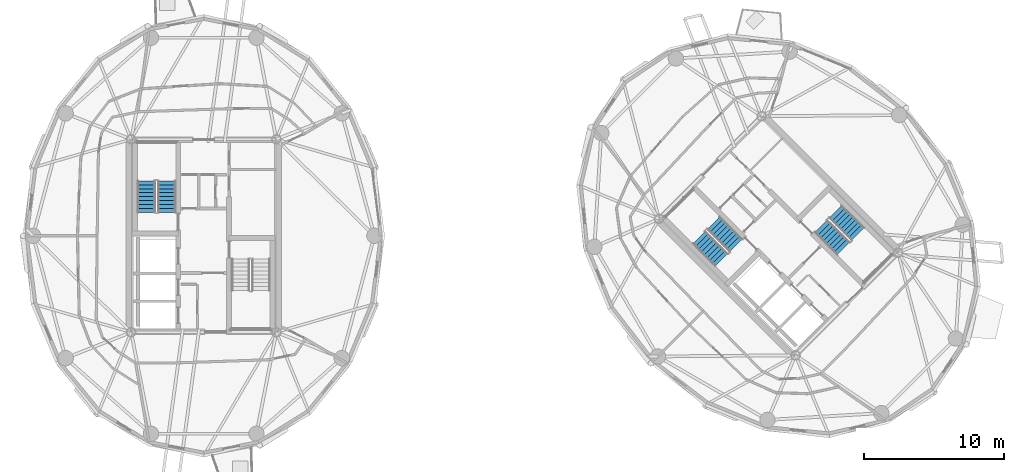
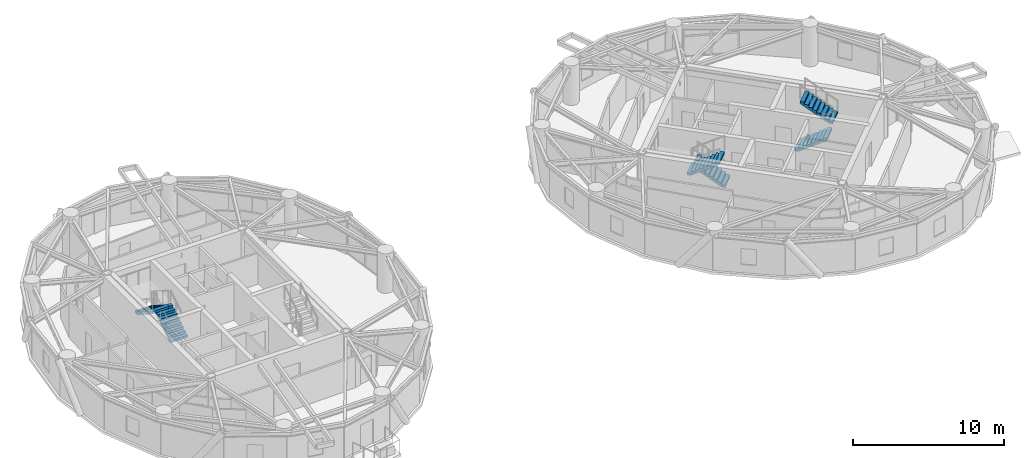
# One storey, part 14 of 17: 6 stair flights, 3 elements without a shape of their own.
"""IFC4 building model written with IfcOpenShell, lengths in metres."""

from ifc_helpers import new_model, si_unit, direction, frame, origin, place, context, subcontext, project, spatial, polyline, outline, extrude, material, type_object, element, aggregate, save


model = new_model("IFC4")

# Units and contexts
model_context = context("Model", 3, precision=1e-05, world=origin(), true_north=direction((0.0, 1.0)))
body_context = subcontext(model_context, "Body", "Model", "MODEL_VIEW")
ifc_project = project(units=[si_unit("LENGTHUNIT", "METRE"), si_unit("AREAUNIT", "SQUARE_METRE"), si_unit("VOLUMEUNIT", "CUBIC_METRE"), si_unit("PLANEANGLEUNIT", "RADIAN"), si_unit("MASSUNIT", "GRAM", prefix="KILO")], contexts=[model_context])

# Site, building, storey
site_placement = place(None, origin())
site = spatial("IfcSite", under=ifc_project, at=site_placement, CompositionType="ELEMENT")
building_placement = place(site_placement, origin())
building = spatial("IfcBuilding", under=site, at=building_placement, Name="Cununo Teusaquillo Station Towers", CompositionType="ELEMENT")
storey_placement = place(building_placement, frame((0.0, 0.0, 222.85009765625)))
storey = spatial("IfcBuildingStorey", under=building, at=storey_placement, Name="L71", CompositionType="ELEMENT", Elevation=222.85009765625)

# Stair, stair flights
ifc_material_1 = material(Name="Concrete C50/60", Category="concrete")
stair_type = type_object("IfcStairType", Name="ST-TWR-1300", PredefinedType="HALF_TURN_STAIR", material=ifc_material_1)
stair_1_placement = place(storey_placement, origin())
stair_1 = element("IfcStair", 1, at=stair_1_placement, inside=storey, type_object=stair_type, Name="L71 Tower A Protected Core Exit Stair 1", PredefinedType="HALF_TURN_STAIR")
ifc_material_2 = material(Name="Concrete C50/60", Category="concrete")
stair_flight_type = type_object("IfcStairFlightType", Name="SFL-TWR-1300", PredefinedType="STRAIGHT", material=ifc_material_2)
stair_flight_1_placement = place(storey_placement, frame((13.8701171875, 26.169921875, 0.0), z_axis=(0.0, 0.0, 1.0), x_axis=(0.0, 1.0, 0.0)))
stair_flight_1 = element("IfcStairFlight", 2, at=stair_flight_1_placement, type_object=stair_flight_type, Name="ST-T1-1 flight 1", NumberOfRisers=9, NumberOfTreads=8, PredefinedType="STRAIGHT", RiserHeight=0.177777778, TreadLength=0.28, context=body_context, shape_type="SweptSolid", body=[
    extrude(outline(polyline([(0.0, 0.0), (0.0, 0.177734375), (0.280029296875, 0.177734375), (0.280029296875, 0.35546875), (0.56005859375, 0.35546875), (0.56005859375, 0.533447265625), (0.840087890625, 0.533447265625), (0.840087890625, 0.711181640625), (1.1201171875, 0.711181640625), (1.1201171875, 0.888916015625), (1.39990234375, 0.888916015625), (1.39990234375, 1.066650390625), (1.679931640625, 1.066650390625), (1.679931640625, 1.244384765625), (1.9599609375, 1.244384765625), (1.9599609375, 1.422119140625), (2.239990234375, 1.422119140625), (2.239990234375, 1.60009765625), (2.239990234375, 1.24462890625), (0.27978515625, 0.0), (0.0, 0.0)])), frame((0.0, 0.64990234375, 0.0), z_axis=(0.0, -1.0, 0.0), x_axis=(1.0, 0.0, 0.0)), (0.0, 0.0, 1.0), 1.300048828125),
])
stair_flight_2_placement = place(storey_placement, frame((12.409912109375, 28.409912109375, 1.599853515625), z_axis=(0.0, 0.0, 1.0), x_axis=(0.0, -1.0, 0.0)))
stair_flight_2 = element("IfcStairFlight", 3, at=stair_flight_2_placement, type_object=stair_flight_type, Name="ST-T1-1 flight 2", NumberOfRisers=9, NumberOfTreads=8, PredefinedType="STRAIGHT", RiserHeight=0.177777778, TreadLength=0.28, context=body_context, shape_type="SweptSolid", body=[
    extrude(outline(polyline([(0.0, 0.0), (0.0, 0.177734375), (0.280029296875, 0.177734375), (0.280029296875, 0.35546875), (0.56005859375, 0.35546875), (0.56005859375, 0.533447265625), (0.840087890625, 0.533447265625), (0.840087890625, 0.711181640625), (1.1201171875, 0.711181640625), (1.1201171875, 0.888916015625), (1.39990234375, 0.888916015625), (1.39990234375, 1.066650390625), (1.679931640625, 1.066650390625), (1.679931640625, 1.244384765625), (1.9599609375, 1.244384765625), (1.9599609375, 1.422119140625), (2.239990234375, 1.422119140625), (2.239990234375, 1.60009765625), (2.239990234375, 1.24462890625), (0.27978515625, 0.0), (0.0, 0.0)])), frame((0.0, 0.64990234375, 0.0), z_axis=(0.0, -1.0, 0.0), x_axis=(1.0, 0.0, 0.0)), (0.0, 0.0, 1.0), 1.300048828125),
])
aggregate(stair_1, [stair_flight_1, stair_flight_2])

stair_2_placement = place(storey_placement, origin())
stair_2 = element("IfcStair", 4, at=stair_2_placement, inside=storey, type_object=stair_type, Name="L71 Tower B Protected Core Exit Stair 1", PredefinedType="HALF_TURN_STAIR")
stair_flight_3_placement = place(storey_placement, frame((54.45947265625, 23.8212890625, 0.0), z_axis=(0.0, 0.0, 1.0), x_axis=(-0.707106781187, 0.707106781187, 0.0)))
stair_flight_3 = element("IfcStairFlight", 5, at=stair_flight_3_placement, type_object=stair_flight_type, Name="ST-T2-1 flight 1", NumberOfRisers=9, NumberOfTreads=8, PredefinedType="STRAIGHT", RiserHeight=0.177777778, TreadLength=0.28, context=body_context, shape_type="SweptSolid", body=[
    extrude(outline(polyline([(0.0, 0.0), (0.0, 0.177734375), (0.280029296875, 0.177734375), (0.280029296875, 0.35546875), (0.56005859375, 0.35546875), (0.56005859375, 0.533447265625), (0.840087890625, 0.533447265625), (0.840087890625, 0.711181640625), (1.1201171875, 0.711181640625), (1.1201171875, 0.888916015625), (1.39990234375, 0.888916015625), (1.39990234375, 1.066650390625), (1.679931640625, 1.066650390625), (1.679931640625, 1.244384765625), (1.9599609375, 1.244384765625), (1.9599609375, 1.422119140625), (2.239990234375, 1.422119140625), (2.239990234375, 1.60009765625), (2.239990234375, 1.24462890625), (0.27978515625, 0.0), (0.0, 0.0)])), frame((0.0, 0.64990234375, 0.0), z_axis=(0.0, -1.0, 0.0), x_axis=(1.0, 0.0, 0.0)), (0.0, 0.0, 1.0), 1.300048828125),
])
stair_flight_4_placement = place(storey_placement, frame((51.84326171875, 24.372802734375, 1.599853515625), z_axis=(0.0, 0.0, 1.0), x_axis=(0.707106781187, -0.707106781187, 0.0)))
stair_flight_4 = element("IfcStairFlight", 6, at=stair_flight_4_placement, type_object=stair_flight_type, Name="ST-T2-1 flight 2", NumberOfRisers=9, NumberOfTreads=8, PredefinedType="STRAIGHT", RiserHeight=0.177777778, TreadLength=0.28, context=body_context, shape_type="SweptSolid", body=[
    extrude(outline(polyline([(0.0, 0.0), (0.0, 0.177734375), (0.280029296875, 0.177734375), (0.280029296875, 0.35546875), (0.56005859375, 0.35546875), (0.56005859375, 0.533447265625), (0.840087890625, 0.533447265625), (0.840087890625, 0.711181640625), (1.1201171875, 0.711181640625), (1.1201171875, 0.888916015625), (1.39990234375, 0.888916015625), (1.39990234375, 1.066650390625), (1.679931640625, 1.066650390625), (1.679931640625, 1.244384765625), (1.9599609375, 1.244384765625), (1.9599609375, 1.422119140625), (2.239990234375, 1.422119140625), (2.239990234375, 1.60009765625), (2.239990234375, 1.24462890625), (0.27978515625, 0.0), (0.0, 0.0)])), frame((0.0, 0.64990234375, 0.0), z_axis=(0.0, -1.0, 0.0), x_axis=(1.0, 0.0, 0.0)), (0.0, 0.0, 1.0), 1.300048828125),
])
aggregate(stair_2, [stair_flight_3, stair_flight_4])

stair_3_placement = place(storey_placement, origin())
stair_3 = element("IfcStair", 7, at=stair_3_placement, inside=storey, type_object=stair_type, Name="L71 Tower B Protected Core Exit Stair 2", PredefinedType="HALF_TURN_STAIR")
stair_flight_5_placement = place(storey_placement, frame((60.54052734375, 25.1787109375, 0.0), z_axis=(0.0, 0.0, 1.0), x_axis=(0.707106781187, -0.707106781187, 0.0)))
stair_flight_5 = element("IfcStairFlight", 8, at=stair_flight_5_placement, type_object=stair_flight_type, Name="ST-T2-2 flight 1", NumberOfRisers=9, NumberOfTreads=8, PredefinedType="STRAIGHT", RiserHeight=0.177777778, TreadLength=0.28, context=body_context, shape_type="SweptSolid", body=[
    extrude(outline(polyline([(0.0, 0.0), (0.0, 0.177734375), (0.280029296875, 0.177734375), (0.280029296875, 0.35546875), (0.56005859375, 0.35546875), (0.56005859375, 0.533447265625), (0.840087890625, 0.533447265625), (0.840087890625, 0.711181640625), (1.1201171875, 0.711181640625), (1.1201171875, 0.888916015625), (1.39990234375, 0.888916015625), (1.39990234375, 1.066650390625), (1.679931640625, 1.066650390625), (1.679931640625, 1.244384765625), (1.9599609375, 1.244384765625), (1.9599609375, 1.422119140625), (2.239990234375, 1.422119140625), (2.239990234375, 1.60009765625), (2.239990234375, 1.24462890625), (0.27978515625, 0.0), (0.0, 0.0)])), frame((0.0, 0.64990234375, 0.0), z_axis=(0.0, -1.0, 0.0), x_axis=(1.0, 0.0, 0.0)), (0.0, 0.0, 1.0), 1.300048828125),
])
stair_flight_6_placement = place(storey_placement, frame((63.15673828125, 24.627197265625, 1.599853515625), z_axis=(0.0, 0.0, 1.0), x_axis=(-0.707106781187, 0.707106781187, 0.0)))
stair_flight_6 = element("IfcStairFlight", 9, at=stair_flight_6_placement, type_object=stair_flight_type, Name="ST-T2-2 flight 2", NumberOfRisers=9, NumberOfTreads=8, PredefinedType="STRAIGHT", RiserHeight=0.177777778, TreadLength=0.28, context=body_context, shape_type="SweptSolid", body=[
    extrude(outline(polyline([(0.0, 0.0), (0.0, 0.177734375), (0.280029296875, 0.177734375), (0.280029296875, 0.35546875), (0.56005859375, 0.35546875), (0.56005859375, 0.533447265625), (0.840087890625, 0.533447265625), (0.840087890625, 0.711181640625), (1.1201171875, 0.711181640625), (1.1201171875, 0.888916015625), (1.39990234375, 0.888916015625), (1.39990234375, 1.066650390625), (1.679931640625, 1.066650390625), (1.679931640625, 1.244384765625), (1.9599609375, 1.244384765625), (1.9599609375, 1.422119140625), (2.239990234375, 1.422119140625), (2.239990234375, 1.60009765625), (2.239990234375, 1.24462890625), (0.27978515625, 0.0), (0.0, 0.0)])), frame((0.0, 0.64990234375, 0.0), z_axis=(0.0, -1.0, 0.0), x_axis=(1.0, 0.0, 0.0)), (0.0, 0.0, 1.0), 1.300048828125),
])
aggregate(stair_3, [stair_flight_5, stair_flight_6])

save(model, "model.ifc")
